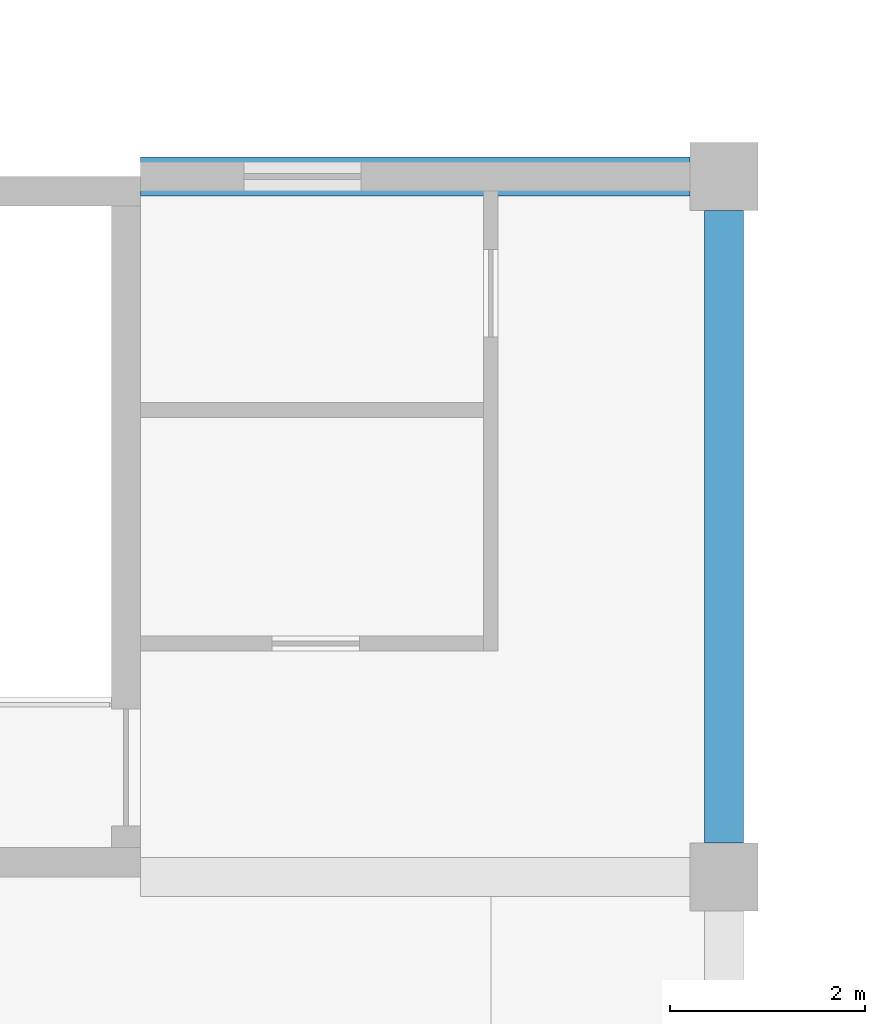
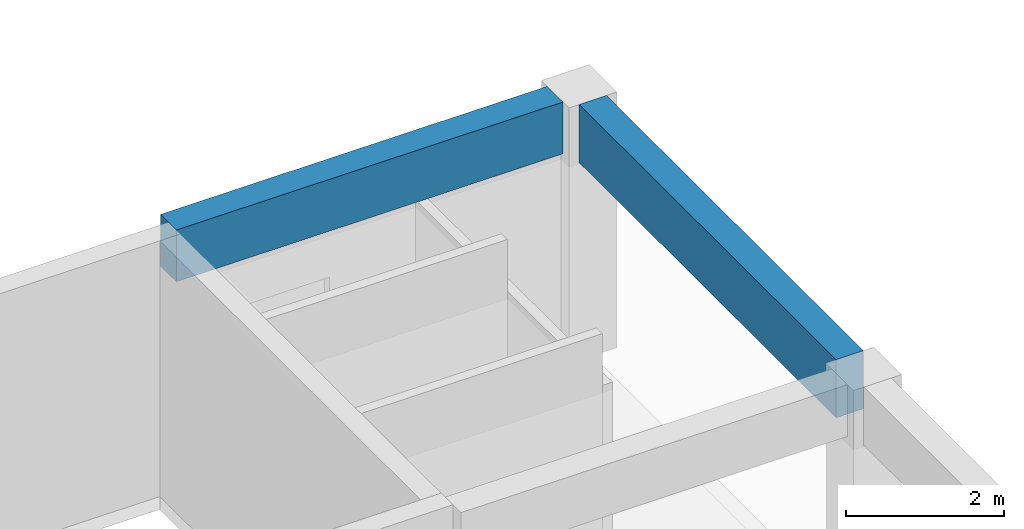
# One storey, part 7 of 47: 2 beams.
"""IFC4 building model written with IfcOpenShell, lengths in metres."""

from ifc_helpers import new_model, si_unit, direction, frame, origin, origin_2d, place, context, subcontext, project, spatial, rectangle, extrude, material, material_profile, profile_set, type_object, element, save


model = new_model("IFC4")

# Units and contexts
model_context = context("Model", 3, precision=1e-05, world=origin(), true_north=direction((0.0, 1.0)))
body_context = subcontext(model_context, "Body", "Model", "MODEL_VIEW")
ifc_project = project(units=[si_unit("LENGTHUNIT", "METRE"), si_unit("AREAUNIT", "SQUARE_METRE"), si_unit("VOLUMEUNIT", "CUBIC_METRE"), si_unit("PLANEANGLEUNIT", "RADIAN"), si_unit("MASSUNIT", "GRAM", prefix="KILO")], contexts=[model_context])

# Site, building, storey
site_placement = place(None, origin())
site = spatial("IfcSite", under=ifc_project, at=site_placement, CompositionType="ELEMENT")
building_placement = place(site_placement, origin())
building = spatial("IfcBuilding", under=site, at=building_placement, Name="Laocheng Heights Fire and Rescue Headquarters", CompositionType="ELEMENT")
storey_placement = place(building_placement, frame((0.0, 0.0, 16.800048828125)))
storey = spatial("IfcBuildingStorey", under=building, at=storey_placement, Name="L04", CompositionType="ELEMENT", Elevation=16.800048828125)

# Beams
ifc_material_1 = material(Name="Concrete C40", Category="concrete")
ifc_material_profile_1 = material_profile(ifc_material_1, rectangle(XDim=0.39990234375, YDim=0.800048828125, at=origin_2d()), Name="RC BEAM 400x800 FOYER")
ifc_profile_set_1 = profile_set([ifc_material_profile_1], Name="Concrete C40")
beam_type_1 = type_object("IfcBeamType", Name="RC BEAM 400x800 FOYER", PredefinedType="BEAM", material=ifc_profile_set_1)
beam_1_placement = place(storey_placement, frame((6.0, 57.60009765625, 3.550048828125), z_axis=(1.0, 0.0, 0.0), x_axis=(0.0, 1.0, 0.0)))
element("IfcBeam", 1, at=beam_1_placement, inside=storey, type_object=beam_type_1, Name="Foyer beam L04", PredefinedType="BEAM", context=body_context, shape_type="SweptSolid", body=[
    extrude(rectangle(XDim=0.39990234375, YDim=0.800048828125, at=origin_2d()), origin(), (0.0, 0.0, 1.0), 5.64990234375),
])
ifc_material_2 = material(Name="Concrete C40", Category="concrete")
ifc_material_profile_2 = material_profile(ifc_material_2, rectangle(XDim=0.39990234375, YDim=0.89990234375, at=origin_2d()), Name="RC BEAM 400x900 FOYER")
ifc_profile_set_2 = profile_set([ifc_material_profile_2], Name="Concrete C40")
beam_type_2 = type_object("IfcBeamType", Name="RC BEAM 400x900 FOYER", PredefinedType="BEAM", material=ifc_profile_set_2)
beam_2_placement = place(storey_placement, frame((12.0, 50.75, 3.5), z_axis=(0.0, 1.0, 0.0), x_axis=(-1.0, 0.0, 0.0)))
element("IfcBeam", 2, at=beam_2_placement, inside=storey, type_object=beam_type_2, Name="Foyer beam L04", PredefinedType="BEAM", context=body_context, shape_type="SweptSolid", body=[
    extrude(rectangle(XDim=0.39990234375, YDim=0.89990234375, at=origin_2d()), origin(), (0.0, 0.0, 1.0), 6.5),
])

save(model, "model.ifc")
